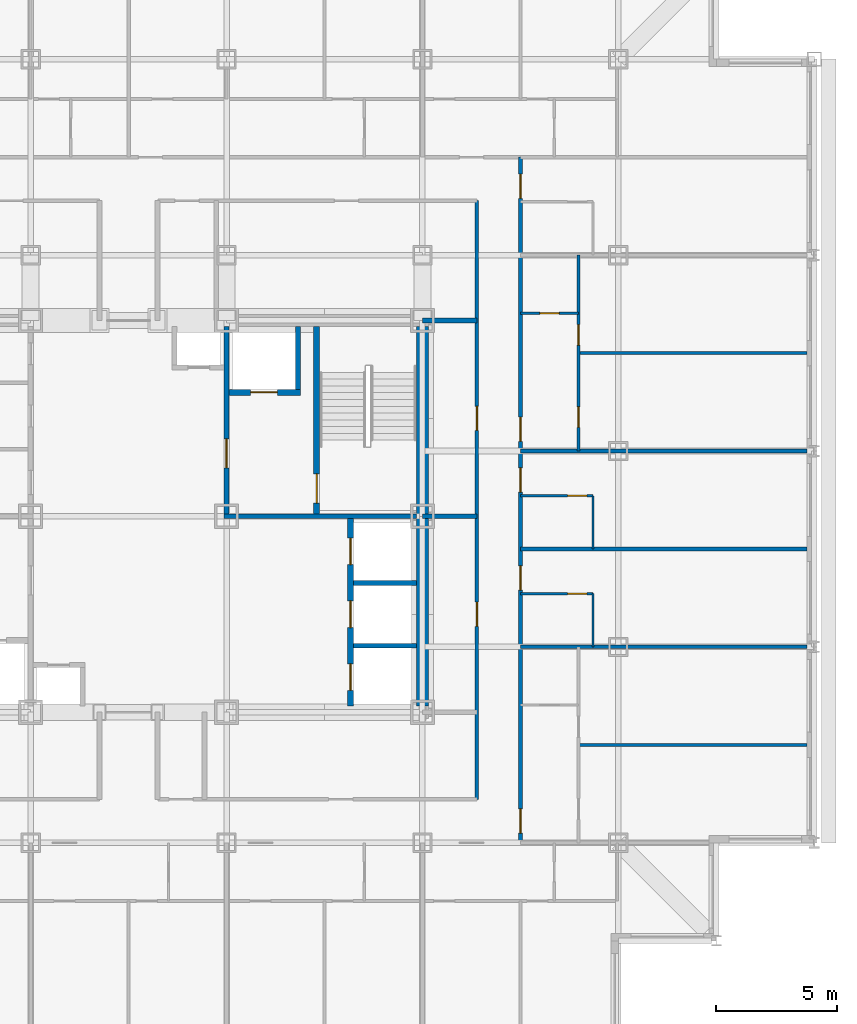
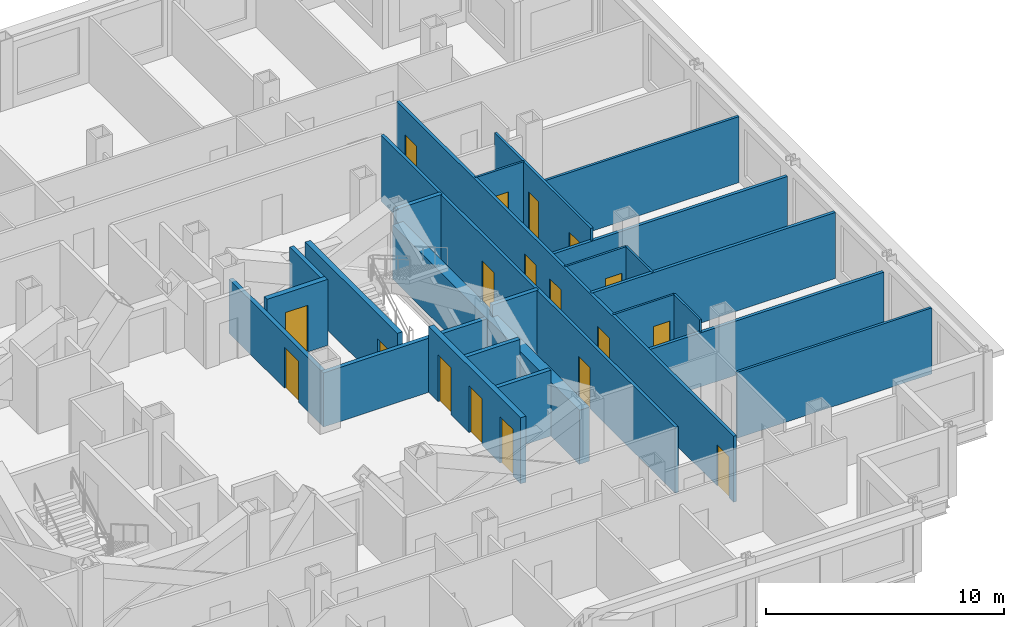
# One storey, part 8 of 12: 24 walls, 18 doors, 18 openings.
"""IFC4 building model written with IfcOpenShell, lengths in metres."""

from ifc_helpers import new_model, si_unit, direction, frame, frame_2d, origin, place, context, subcontext, project, spatial, rectangle, extrude, material, layer, layer_set, type_object, element, fill, save


model = new_model("IFC4")

# Units and contexts
model_context = context("Model", 3, precision=1e-05, world=origin(), true_north=direction((0.0, 1.0)))
body_context = subcontext(model_context, "Body", "Model", "MODEL_VIEW")
ifc_project = project(units=[si_unit("LENGTHUNIT", "METRE"), si_unit("AREAUNIT", "SQUARE_METRE"), si_unit("VOLUMEUNIT", "CUBIC_METRE"), si_unit("PLANEANGLEUNIT", "RADIAN"), si_unit("MASSUNIT", "GRAM", prefix="KILO")], contexts=[model_context])

# Site, building, storey
site_placement = place(None, origin())
site = spatial("IfcSite", under=ifc_project, at=site_placement, CompositionType="ELEMENT")
building_placement = place(site_placement, origin())
building = spatial("IfcBuilding", under=site, at=building_placement, Name="Kopane Lantern Tower", CompositionType="ELEMENT")
storey_placement = place(building_placement, frame((0.0, 0.0, 184.800048828125)))
storey = spatial("IfcBuildingStorey", under=building, at=storey_placement, Name="L47", CompositionType="ELEMENT", Elevation=184.800048828125)

# Wall
ifc_material_1 = material(Name="Gypsum board on steel studs", Category="steel")
ifc_layer_1 = layer(ifc_material_1, 0.1201171875)
ifc_layer_set_1 = layer_set([ifc_layer_1], Name="APARTMENT INTERNAL WALL 120")
wall_type_1 = type_object("IfcWallType", Name="APARTMENT INTERNAL WALL 120", PredefinedType="PARTITIONING", material=ifc_layer_set_1)
wall_1_placement = place(storey_placement, frame((46.949951171875, 22.949951171875, 0.0), z_axis=(0.0, 0.0, 1.0), x_axis=(1.0, 0.0, 0.0)))
element("IfcWall", 1, at=wall_1_placement, inside=storey, type_object=wall_type_1, Name="Apartment Internal Wall 120 L47", PredefinedType="PARTITIONING", context=body_context, shape_type="SweptSolid", body=[
    extrude(rectangle(XDim=9.449951171875, YDim=0.1201171875, at=frame_2d((4.72509765625, 0.0))), origin(), (0.0, 0.0, 1.0), 3.389892578125),
])

# Wall, openings, doors
wall_2_placement = place(storey_placement, frame((46.949951171875, 35.10009765625, 0.0), z_axis=(0.0, 0.0, 1.0), x_axis=(0.0, 1.0, 0.0)))
wall_2 = element("IfcWall", 2, at=wall_2_placement, inside=storey, type_object=wall_type_1, Name="Apartment Internal Wall 120 L47", PredefinedType="PARTITIONING", context=body_context, shape_type="SweptSolid", body=[
    extrude(rectangle(XDim=8.099853515625, YDim=0.1201171875, at=frame_2d((4.0498046875, 0.0))), origin(), (0.0, 0.0, 1.0), 3.389892578125),
])
opening_1_placement = place(wall_2_placement, frame((0.97509765625, 0.0, 0.0)))
opening_1 = element("IfcOpeningElement", 3, at=opening_1_placement, cuts=wall_2, Name="Opening L47-056", PredefinedType="OPENING", context=body_context, shape_type="SweptSolid", body=[
    extrude(rectangle(XDim=0.85009765625, YDim=2.10009765625, at=frame_2d((0.425048828125, 1.050048828125))), frame((0.0, 0.070068359375, 0.0), z_axis=(0.0, -1.0, 0.0), x_axis=(1.0, 0.0, 0.0)), (0.0, 0.0, 1.0), 0.14013671875),
])
opening_2_placement = place(wall_2_placement, frame((4.375, 0.0, 0.0)))
opening_2 = element("IfcOpeningElement", 4, at=opening_2_placement, cuts=wall_2, Name="Opening L47-057", PredefinedType="OPENING", context=body_context, shape_type="SweptSolid", body=[
    extrude(rectangle(XDim=0.85009765625, YDim=2.10009765625, at=frame_2d((0.425048828125, 1.050048828125))), frame((0.0, 0.070068359375, 0.0), z_axis=(0.0, -1.0, 0.0), x_axis=(1.0, 0.0, 0.0)), (0.0, 0.0, 1.0), 0.14013671875),
])
ifc_material_2 = material(Name="Timber door set", Category="wood")
door_type_1 = type_object("IfcDoorType", Name="DOOR D4 850x2100", OperationType="SINGLE_SWING_LEFT", PredefinedType="DOOR", material=ifc_material_2)
door_1_placement = place(opening_1_placement, origin())
door_1 = element("IfcDoor", 5, at=door_1_placement, inside=storey, type_object=door_type_1, Name="Door L47-056", OperationType="SINGLE_SWING_LEFT", OverallHeight=2.10009765625, OverallWidth=0.85009765625, PredefinedType="DOOR", context=body_context, shape_type="SweptSolid", body=[
    extrude(rectangle(XDim=0.85009765625, YDim=2.10009765625, at=frame_2d((0.425048828125, 1.050048828125))), frame((0.0, 0.02490234375, 0.0), z_axis=(0.0, -1.0, 0.0), x_axis=(1.0, 0.0, 0.0)), (0.0, 0.0, 1.0), 0.050048828125),
])
fill(opening_1, door_1)
door_2_placement = place(opening_2_placement, origin())
door_2 = element("IfcDoor", 6, at=door_2_placement, inside=storey, type_object=door_type_1, Name="Door L47-057", OperationType="SINGLE_SWING_RIGHT", OverallHeight=2.10009765625, OverallWidth=0.85009765625, PredefinedType="DOOR", context=body_context, shape_type="SweptSolid", body=[
    extrude(rectangle(XDim=0.85009765625, YDim=2.10009765625, at=frame_2d((0.425048828125, 1.050048828125))), frame((0.0, 0.02490234375, 0.0), z_axis=(0.0, -1.0, 0.0), x_axis=(1.0, 0.0, 0.0)), (0.0, 0.0, 1.0), 0.050048828125),
])
fill(opening_2, door_2)

# Walls
wall_3_placement = place(storey_placement, frame((46.949951171875, 39.14990234375, 0.0), z_axis=(0.0, 0.0, 1.0), x_axis=(1.0, 0.0, 0.0)))
element("IfcWall", 7, at=wall_3_placement, inside=storey, type_object=wall_type_1, Name="Apartment Internal Wall 120 L47", PredefinedType="PARTITIONING", context=body_context, shape_type="SweptSolid", body=[
    extrude(rectangle(XDim=9.449951171875, YDim=0.1201171875, at=frame_2d((4.72509765625, 0.0))), origin(), (0.0, 0.0, 1.0), 3.389892578125),
])
ifc_material_3 = material(Name="Moisture-resistant board on steel studs", Category="steel")
ifc_layer_2 = layer(ifc_material_3, 0.10009765625)
ifc_layer_set_2 = layer_set([ifc_layer_2], Name="BATHROOM WALL 100")
wall_type_2 = type_object("IfcWallType", Name="BATHROOM WALL 100", PredefinedType="PARTITIONING", material=ifc_layer_set_2)
wall_4_placement = place(storey_placement, frame((47.550048828125, 27.0, 0.0), z_axis=(0.0, 0.0, 1.0), x_axis=(0.0, 1.0, 0.0)))
element("IfcWall", 8, at=wall_4_placement, inside=storey, type_object=wall_type_2, Name="Bathroom Wall 100 L47", PredefinedType="PARTITIONING", context=body_context, shape_type="SweptSolid", body=[
    extrude(rectangle(XDim=2.199951171875, YDim=0.10009765625, at=frame_2d((1.10009765625, 0.0))), origin(), (0.0, 0.0, 1.0), 3.389892578125),
])

# Wall, opening, door
wall_5_placement = place(storey_placement, frame((44.550048828125, 29.199951171875, 0.0), z_axis=(0.0, 0.0, 1.0), x_axis=(1.0, 0.0, 0.0)))
wall_5 = element("IfcWall", 9, at=wall_5_placement, inside=storey, type_object=wall_type_2, Name="Bathroom Wall 100 L47", PredefinedType="PARTITIONING", context=body_context, shape_type="SweptSolid", body=[
    extrude(rectangle(XDim=3.0, YDim=0.10009765625, at=frame_2d((1.5, 0.0))), origin(), (0.0, 0.0, 1.0), 3.389892578125),
])
opening_3_placement = place(wall_5_placement, frame((1.949951171875, 0.0, 0.0)))
opening_3 = element("IfcOpeningElement", 10, at=opening_3_placement, cuts=wall_5, Name="Opening L47-050", PredefinedType="OPENING", context=body_context, shape_type="SweptSolid", body=[
    extrude(rectangle(XDim=0.800048828125, YDim=2.10009765625, at=frame_2d((0.39990234375, 1.050048828125))), frame((0.0, 0.06005859375, 0.0), z_axis=(0.0, -1.0, 0.0), x_axis=(1.0, 0.0, 0.0)), (0.0, 0.0, 1.0), 0.1201171875),
])
ifc_material_4 = material(Name="Timber door set", Category="wood")
door_type_2 = type_object("IfcDoorType", Name="DOOR D2 800x2100", OperationType="SINGLE_SWING_LEFT", PredefinedType="DOOR", material=ifc_material_4)
door_3_placement = place(opening_3_placement, origin())
door_3 = element("IfcDoor", 11, at=door_3_placement, inside=storey, type_object=door_type_2, Name="Door L47-050", OperationType="SINGLE_SWING_LEFT", OverallHeight=2.10009765625, OverallWidth=0.800048828125, PredefinedType="DOOR", context=body_context, shape_type="SweptSolid", body=[
    extrude(rectangle(XDim=0.800048828125, YDim=2.10009765625, at=frame_2d((0.39990234375, 1.050048828125))), frame((0.0, 0.02490234375, 0.0), z_axis=(0.0, -1.0, 0.0), x_axis=(1.0, 0.0, 0.0)), (0.0, 0.0, 1.0), 0.050048828125),
])
fill(opening_3, door_3)

# Wall
wall_6_placement = place(storey_placement, frame((47.550048828125, 31.050048828125, 0.0), z_axis=(0.0, 0.0, 1.0), x_axis=(0.0, 1.0, 0.0)))
element("IfcWall", 12, at=wall_6_placement, inside=storey, type_object=wall_type_2, Name="Bathroom Wall 100 L47", PredefinedType="PARTITIONING", context=body_context, shape_type="SweptSolid", body=[
    extrude(rectangle(XDim=2.199951171875, YDim=0.10009765625, at=frame_2d((1.10009765625, 0.0))), origin(), (0.0, 0.0, 1.0), 3.389892578125),
])

# Wall, opening, door
wall_7_placement = place(storey_placement, frame((44.550048828125, 33.25, 0.0), z_axis=(0.0, 0.0, 1.0), x_axis=(1.0, 0.0, 0.0)))
wall_7 = element("IfcWall", 13, at=wall_7_placement, inside=storey, type_object=wall_type_2, Name="Bathroom Wall 100 L47", PredefinedType="PARTITIONING", context=body_context, shape_type="SweptSolid", body=[
    extrude(rectangle(XDim=3.0, YDim=0.10009765625, at=frame_2d((1.5, 0.0))), origin(), (0.0, 0.0, 1.0), 3.389892578125),
])
opening_4_placement = place(wall_7_placement, frame((1.949951171875, 0.0, 0.0)))
opening_4 = element("IfcOpeningElement", 14, at=opening_4_placement, cuts=wall_7, Name="Opening L47-052", PredefinedType="OPENING", context=body_context, shape_type="SweptSolid", body=[
    extrude(rectangle(XDim=0.800048828125, YDim=2.10009765625, at=frame_2d((0.39990234375, 1.050048828125))), frame((0.0, 0.06005859375, 0.0), z_axis=(0.0, -1.0, 0.0), x_axis=(1.0, 0.0, 0.0)), (0.0, 0.0, 1.0), 0.1201171875),
])
door_4_placement = place(opening_4_placement, origin())
door_4 = element("IfcDoor", 15, at=door_4_placement, inside=storey, type_object=door_type_2, Name="Door L47-052", OperationType="SINGLE_SWING_LEFT", OverallHeight=2.10009765625, OverallWidth=0.800048828125, PredefinedType="DOOR", context=body_context, shape_type="SweptSolid", body=[
    extrude(rectangle(XDim=0.800048828125, YDim=2.10009765625, at=frame_2d((0.39990234375, 1.050048828125))), frame((0.0, 0.02490234375, 0.0), z_axis=(0.0, -1.0, 0.0), x_axis=(1.0, 0.0, 0.0)), (0.0, 0.0, 1.0), 0.050048828125),
])
fill(opening_4, door_4)

wall_8_placement = place(storey_placement, frame((44.550048828125, 40.800048828125, 0.0), z_axis=(0.0, 0.0, 1.0), x_axis=(1.0, 0.0, 0.0)))
wall_8 = element("IfcWall", 16, at=wall_8_placement, inside=storey, type_object=wall_type_2, Name="Bathroom Wall 100 L47", PredefinedType="PARTITIONING", context=body_context, shape_type="SweptSolid", body=[
    extrude(rectangle(XDim=2.39990234375, YDim=0.10009765625, at=frame_2d((1.199951171875, 0.0))), origin(), (0.0, 0.0, 1.0), 3.389892578125),
])
opening_5_placement = place(wall_8_placement, frame((0.800048828125, 0.0, 0.0)))
opening_5 = element("IfcOpeningElement", 17, at=opening_5_placement, cuts=wall_8, Name="Opening L47-054", PredefinedType="OPENING", context=body_context, shape_type="SweptSolid", body=[
    extrude(rectangle(XDim=0.800048828125, YDim=2.10009765625, at=frame_2d((0.39990234375, 1.050048828125))), frame((0.0, 0.06005859375, 0.0), z_axis=(0.0, -1.0, 0.0), x_axis=(1.0, 0.0, 0.0)), (0.0, 0.0, 1.0), 0.1201171875),
])
door_5_placement = place(opening_5_placement, origin())
door_5 = element("IfcDoor", 18, at=door_5_placement, inside=storey, type_object=door_type_2, Name="Door L47-054", OperationType="SINGLE_SWING_LEFT", OverallHeight=2.10009765625, OverallWidth=0.800048828125, PredefinedType="DOOR", context=body_context, shape_type="SweptSolid", body=[
    extrude(rectangle(XDim=0.800048828125, YDim=2.10009765625, at=frame_2d((0.39990234375, 1.050048828125))), frame((0.0, 0.02490234375, 0.0), z_axis=(0.0, -1.0, 0.0), x_axis=(1.0, 0.0, 0.0)), (0.0, 0.0, 1.0), 0.050048828125),
])
fill(opening_5, door_5)

# Wall
ifc_material_5 = material(Name="Gypsum shaft wall EI 120", Category="gypsum")
ifc_layer_3 = layer(ifc_material_5, 0.5)
ifc_layer_set_3 = layer_set([ifc_layer_3], Name="CORE PERIMETER WALL 500 EI 120")
wall_type_3 = type_object("IfcWallType", Name="CORE PERIMETER WALL 500 EI 120", PredefinedType="SOLIDWALL", material=ifc_layer_set_3)
wall_9_placement = place(storey_placement, frame((40.5, 24.550048828125, 0.0), z_axis=(0.0, 0.0, 1.0), x_axis=(0.0, 1.0, 0.0)))
element("IfcWall", 19, at=wall_9_placement, inside=storey, type_object=wall_type_3, Name="Core shaft wall L47 PE", PredefinedType="SOLIDWALL", context=body_context, shape_type="SweptSolid", body=[
    extrude(rectangle(XDim=15.699951171875, YDim=0.5, at=frame_2d((7.85009765625, 0.0))), origin(), (0.0, 0.0, 1.0), 2.77783203125),
])

# Wall, openings, doors
ifc_material_6 = material(Name="Gypsum shaft wall EI 120", Category="gypsum")
ifc_layer_4 = layer(ifc_material_6, 0.25)
ifc_layer_set_4 = layer_set([ifc_layer_4], Name="CORE SHAFT WALL 250 EI 120")
wall_type_4 = type_object("IfcWallType", Name="CORE SHAFT WALL 250 EI 120", PredefinedType="SOLIDWALL", material=ifc_layer_set_4)
wall_10_placement = place(storey_placement, frame((37.52490234375, 24.550048828125, 0.0), z_axis=(0.0, 0.0, 1.0), x_axis=(0.0, 1.0, 0.0)))
wall_10 = element("IfcWall", 20, at=wall_10_placement, inside=storey, type_object=wall_type_4, Name="Core shaft wall L47 XLR", PredefinedType="SOLIDWALL", context=body_context, shape_type="SweptSolid", body=[
    extrude(rectangle(XDim=7.75, YDim=0.25, at=frame_2d((3.875, 0.0))), origin(), (0.0, 0.0, 1.0), 3.389892578125),
])
opening_6_placement = place(wall_10_placement, frame((0.64990234375, 0.0, 0.0)))
opening_6 = element("IfcOpeningElement", 21, at=opening_6_placement, cuts=wall_10, Name="Opening 47.LD-LR1", PredefinedType="OPENING", context=body_context, shape_type="SweptSolid", body=[
    extrude(rectangle(XDim=1.10009765625, YDim=2.39990234375, at=frame_2d((0.550048828125, 1.199951171875))), frame((0.0, 0.135009765625, 0.0), z_axis=(0.0, -1.0, 0.0), x_axis=(1.0, 0.0, 0.0)), (0.0, 0.0, 1.0), 0.27001953125),
])
opening_7_placement = place(wall_10_placement, frame((3.25, 0.0, 0.0)))
opening_7 = element("IfcOpeningElement", 22, at=opening_7_placement, cuts=wall_10, Name="Opening 47.LD-LR2", PredefinedType="OPENING", context=body_context, shape_type="SweptSolid", body=[
    extrude(rectangle(XDim=1.10009765625, YDim=2.39990234375, at=frame_2d((0.550048828125, 1.199951171875))), frame((0.0, 0.135009765625, 0.0), z_axis=(0.0, -1.0, 0.0), x_axis=(1.0, 0.0, 0.0)), (0.0, 0.0, 1.0), 0.27001953125),
])
opening_8_placement = place(wall_10_placement, frame((5.85009765625, 0.0, 0.0)))
opening_8 = element("IfcOpeningElement", 23, at=opening_8_placement, cuts=wall_10, Name="Opening 47.LD-LR3", PredefinedType="OPENING", context=body_context, shape_type="SweptSolid", body=[
    extrude(rectangle(XDim=1.10009765625, YDim=2.39990234375, at=frame_2d((0.550048828125, 1.199951171875))), frame((0.0, 0.135009765625, 0.0), z_axis=(0.0, -1.0, 0.0), x_axis=(1.0, 0.0, 0.0)), (0.0, 0.0, 1.0), 0.27001953125),
])
ifc_material_7 = material(Name="Steel door set", Category="steel")
door_type_3 = type_object("IfcDoorType", Name="LIFT LANDING DOOR 1100x2400 FD60", OperationType="DOUBLE_DOOR_SLIDING", PredefinedType="DOOR", material=ifc_material_7)
door_6_placement = place(opening_6_placement, origin())
door_6 = element("IfcDoor", 24, at=door_6_placement, inside=storey, type_object=door_type_3, Name="Landing door LR1 L47", OperationType="DOUBLE_DOOR_SLIDING", OverallHeight=2.39990234375, OverallWidth=1.10009765625, PredefinedType="DOOR", context=body_context, shape_type="SweptSolid", body=[
    extrude(rectangle(XDim=1.10009765625, YDim=2.39990234375, at=frame_2d((0.550048828125, 1.199951171875))), frame((0.0, 0.02490234375, 0.0), z_axis=(0.0, -1.0, 0.0), x_axis=(1.0, 0.0, 0.0)), (0.0, 0.0, 1.0), 0.050048828125),
])
fill(opening_6, door_6)
door_7_placement = place(opening_7_placement, origin())
door_7 = element("IfcDoor", 25, at=door_7_placement, inside=storey, type_object=door_type_3, Name="Landing door LR2 L47", OperationType="DOUBLE_DOOR_SLIDING", OverallHeight=2.39990234375, OverallWidth=1.10009765625, PredefinedType="DOOR", context=body_context, shape_type="SweptSolid", body=[
    extrude(rectangle(XDim=1.10009765625, YDim=2.39990234375, at=frame_2d((0.550048828125, 1.199951171875))), frame((0.0, 0.02490234375, 0.0), z_axis=(0.0, -1.0, 0.0), x_axis=(1.0, 0.0, 0.0)), (0.0, 0.0, 1.0), 0.050048828125),
])
fill(opening_7, door_7)
door_8_placement = place(opening_8_placement, origin())
door_8 = element("IfcDoor", 26, at=door_8_placement, inside=storey, type_object=door_type_3, Name="Landing door LR3 L47", OperationType="DOUBLE_DOOR_SLIDING", OverallHeight=2.39990234375, OverallWidth=1.10009765625, PredefinedType="DOOR", context=body_context, shape_type="SweptSolid", body=[
    extrude(rectangle(XDim=1.10009765625, YDim=2.39990234375, at=frame_2d((0.550048828125, 1.199951171875))), frame((0.0, 0.02490234375, 0.0), z_axis=(0.0, -1.0, 0.0), x_axis=(1.0, 0.0, 0.0)), (0.0, 0.0, 1.0), 0.050048828125),
])
fill(opening_8, door_8)

# Wall, opening, door
wall_11_placement = place(storey_placement, frame((36.125, 32.5, 0.0), z_axis=(0.0, 0.0, 1.0), x_axis=(0.0, 1.0, 0.0)))
wall_11 = element("IfcWall", 27, at=wall_11_placement, inside=storey, type_object=wall_type_4, Name="Core shaft wall L47 XST2", PredefinedType="SOLIDWALL", context=body_context, shape_type="SweptSolid", body=[
    extrude(rectangle(XDim=7.75, YDim=0.25, at=frame_2d((3.875, 0.0))), origin(), (0.0, 0.0, 1.0), 3.389892578125),
])
opening_9_placement = place(wall_11_placement, frame((0.449951171875, 0.0, 0.0)))
opening_9 = element("IfcOpeningElement", 28, at=opening_9_placement, cuts=wall_11, Name="Opening 47.SD2", PredefinedType="OPENING", context=body_context, shape_type="SweptSolid", body=[
    extrude(rectangle(XDim=1.199951171875, YDim=2.10009765625, at=frame_2d((0.60009765625, 1.050048828125))), frame((0.0, 0.135009765625, 0.0), z_axis=(0.0, -1.0, 0.0), x_axis=(1.0, 0.0, 0.0)), (0.0, 0.0, 1.0), 0.27001953125),
])
ifc_material_8 = material(Name="Steel door set", Category="steel")
door_type_4 = type_object("IfcDoorType", Name="STAIR DOOR 1200x2100 FD60S", OperationType="SINGLE_SWING_LEFT", PredefinedType="DOOR", material=ifc_material_8)
door_9_placement = place(opening_9_placement, origin())
door_9 = element("IfcDoor", 29, at=door_9_placement, inside=storey, type_object=door_type_4, Name="Stair door ST2 L47", OperationType="SINGLE_SWING_RIGHT", OverallHeight=2.10009765625, OverallWidth=1.199951171875, PredefinedType="DOOR", context=body_context, shape_type="SweptSolid", body=[
    extrude(rectangle(XDim=1.199951171875, YDim=2.10009765625, at=frame_2d((0.60009765625, 1.050048828125))), frame((0.0, 0.02490234375, 0.0), z_axis=(0.0, -1.0, 0.0), x_axis=(1.0, 0.0, 0.0)), (0.0, 0.0, 1.0), 0.050048828125),
])
fill(opening_9, door_9)

wall_12_placement = place(storey_placement, frame((32.5, 37.52490234375, 0.0), z_axis=(0.0, 0.0, 1.0), x_axis=(1.0, 0.0, 0.0)))
wall_12 = element("IfcWall", 30, at=wall_12_placement, inside=storey, type_object=wall_type_4, Name="Core shaft wall L47 YLF2", PredefinedType="SOLIDWALL", context=body_context, shape_type="SweptSolid", body=[
    extrude(rectangle(XDim=2.949951171875, YDim=0.25, at=frame_2d((1.47509765625, 0.0))), origin(), (0.0, 0.0, 1.0), 3.389892578125),
])
opening_10_placement = place(wall_12_placement, frame((0.89990234375, 0.0, 0.0)))
opening_10 = element("IfcOpeningElement", 31, at=opening_10_placement, cuts=wall_12, Name="Opening 47.LD-LF2", PredefinedType="OPENING", context=body_context, shape_type="SweptSolid", body=[
    extrude(rectangle(XDim=1.10009765625, YDim=2.39990234375, at=frame_2d((0.550048828125, 1.199951171875))), frame((0.0, 0.135009765625, 0.0), z_axis=(0.0, -1.0, 0.0), x_axis=(1.0, 0.0, 0.0)), (0.0, 0.0, 1.0), 0.27001953125),
])
door_10_placement = place(opening_10_placement, origin())
door_10 = element("IfcDoor", 32, at=door_10_placement, inside=storey, type_object=door_type_3, Name="Landing door LF2 L47", OperationType="DOUBLE_DOOR_SLIDING", OverallHeight=2.39990234375, OverallWidth=1.10009765625, PredefinedType="DOOR", context=body_context, shape_type="SweptSolid", body=[
    extrude(rectangle(XDim=1.10009765625, YDim=2.39990234375, at=frame_2d((0.550048828125, 1.199951171875))), frame((0.0, 0.02490234375, 0.0), z_axis=(0.0, -1.0, 0.0), x_axis=(1.0, 0.0, 0.0)), (0.0, 0.0, 1.0), 0.050048828125),
])
fill(opening_10, door_10)

# Wall, openings, doors
ifc_material_9 = material(Name="Gypsum board on steel studs", Category="steel")
ifc_layer_5 = layer(ifc_material_9, 0.14990234375)
ifc_layer_set_5 = layer_set([ifc_layer_5], Name="CORRIDOR WALL 150 EI 60")
wall_type_5 = type_object("IfcWallType", Name="CORRIDOR WALL 150 EI 60", PredefinedType="PARTITIONING", material=ifc_layer_set_5)
wall_13_placement = place(storey_placement, frame((44.550048828125, 18.89990234375, 0.0), z_axis=(0.0, 0.0, 1.0), x_axis=(0.0, 1.0, 0.0)))
wall_13 = element("IfcWall", 33, at=wall_13_placement, inside=storey, type_object=wall_type_5, Name="Corridor Wall 150 Ei 60 L47", PredefinedType="PARTITIONING", context=body_context, shape_type="SweptSolid", body=[
    extrude(rectangle(XDim=28.35009765625, YDim=0.14990234375, at=frame_2d((14.175048828125, 0.0))), origin(), (0.0, 0.0, 1.0), 3.389892578125),
])
opening_11_placement = place(wall_13_placement, frame((0.39990234375, 0.0, 0.0)))
opening_11 = element("IfcOpeningElement", 34, at=opening_11_placement, cuts=wall_13, Name="Opening L47-047", PredefinedType="OPENING", context=body_context, shape_type="SweptSolid", body=[
    extrude(rectangle(XDim=1.0, YDim=2.10009765625, at=frame_2d((0.5, 1.050048828125))), frame((0.0, 0.0849609375, 0.0), z_axis=(0.0, -1.0, 0.0), x_axis=(1.0, 0.0, 0.0)), (0.0, 0.0, 1.0), 0.169921875),
])
opening_12_placement = place(wall_13_placement, frame((10.449951171875, 0.0, 0.0)))
opening_12 = element("IfcOpeningElement", 35, at=opening_12_placement, cuts=wall_13, Name="Opening L47-051", PredefinedType="OPENING", context=body_context, shape_type="SweptSolid", body=[
    extrude(rectangle(XDim=1.0, YDim=2.10009765625, at=frame_2d((0.5, 1.050048828125))), frame((0.0, 0.0849609375, 0.0), z_axis=(0.0, -1.0, 0.0), x_axis=(1.0, 0.0, 0.0)), (0.0, 0.0, 1.0), 0.169921875),
])
opening_13_placement = place(wall_13_placement, frame((14.5, 0.0, 0.0)))
opening_13 = element("IfcOpeningElement", 36, at=opening_13_placement, cuts=wall_13, Name="Opening L47-053", PredefinedType="OPENING", context=body_context, shape_type="SweptSolid", body=[
    extrude(rectangle(XDim=1.0, YDim=2.10009765625, at=frame_2d((0.5, 1.050048828125))), frame((0.0, 0.0849609375, 0.0), z_axis=(0.0, -1.0, 0.0), x_axis=(1.0, 0.0, 0.0)), (0.0, 0.0, 1.0), 0.169921875),
])
opening_14_placement = place(wall_13_placement, frame((16.60009765625, 0.0, 0.0)))
opening_14 = element("IfcOpeningElement", 37, at=opening_14_placement, cuts=wall_13, Name="Opening L47-055", PredefinedType="OPENING", context=body_context, shape_type="SweptSolid", body=[
    extrude(rectangle(XDim=1.0, YDim=2.10009765625, at=frame_2d((0.5, 1.050048828125))), frame((0.0, 0.0849609375, 0.0), z_axis=(0.0, -1.0, 0.0), x_axis=(1.0, 0.0, 0.0)), (0.0, 0.0, 1.0), 0.169921875),
])
opening_15_placement = place(wall_13_placement, frame((26.64990234375, 0.0, 0.0)))
opening_15 = element("IfcOpeningElement", 38, at=opening_15_placement, cuts=wall_13, Name="Opening L47-059", PredefinedType="OPENING", context=body_context, shape_type="SweptSolid", body=[
    extrude(rectangle(XDim=1.0, YDim=2.10009765625, at=frame_2d((0.5, 1.050048828125))), frame((0.0, 0.0849609375, 0.0), z_axis=(0.0, -1.0, 0.0), x_axis=(1.0, 0.0, 0.0)), (0.0, 0.0, 1.0), 0.169921875),
])
ifc_material_10 = material(Name="Steel door set", Category="steel")
door_type_5 = type_object("IfcDoorType", Name="DOOR D3 1000x2100 FD30S", OperationType="SINGLE_SWING_LEFT", PredefinedType="DOOR", material=ifc_material_10)
door_11_placement = place(opening_11_placement, origin())
door_11 = element("IfcDoor", 39, at=door_11_placement, inside=storey, type_object=door_type_5, Name="Door L47-047", OperationType="SINGLE_SWING_RIGHT", OverallHeight=2.10009765625, OverallWidth=1.0, PredefinedType="DOOR", context=body_context, shape_type="SweptSolid", body=[
    extrude(rectangle(XDim=1.0, YDim=2.10009765625, at=frame_2d((0.5, 1.050048828125))), frame((0.0, 0.02490234375, 0.0), z_axis=(0.0, -1.0, 0.0), x_axis=(1.0, 0.0, 0.0)), (0.0, 0.0, 1.0), 0.050048828125),
])
fill(opening_11, door_11)
door_12_placement = place(opening_12_placement, origin())
door_12 = element("IfcDoor", 40, at=door_12_placement, inside=storey, type_object=door_type_5, Name="Door L47-051", OperationType="SINGLE_SWING_RIGHT", OverallHeight=2.10009765625, OverallWidth=1.0, PredefinedType="DOOR", context=body_context, shape_type="SweptSolid", body=[
    extrude(rectangle(XDim=1.0, YDim=2.10009765625, at=frame_2d((0.5, 1.050048828125))), frame((0.0, 0.02490234375, 0.0), z_axis=(0.0, -1.0, 0.0), x_axis=(1.0, 0.0, 0.0)), (0.0, 0.0, 1.0), 0.050048828125),
])
fill(opening_12, door_12)
door_13_placement = place(opening_13_placement, origin())
door_13 = element("IfcDoor", 41, at=door_13_placement, inside=storey, type_object=door_type_5, Name="Door L47-053", OperationType="SINGLE_SWING_RIGHT", OverallHeight=2.10009765625, OverallWidth=1.0, PredefinedType="DOOR", context=body_context, shape_type="SweptSolid", body=[
    extrude(rectangle(XDim=1.0, YDim=2.10009765625, at=frame_2d((0.5, 1.050048828125))), frame((0.0, 0.02490234375, 0.0), z_axis=(0.0, -1.0, 0.0), x_axis=(1.0, 0.0, 0.0)), (0.0, 0.0, 1.0), 0.050048828125),
])
fill(opening_13, door_13)
door_14_placement = place(opening_14_placement, origin())
door_14 = element("IfcDoor", 42, at=door_14_placement, inside=storey, type_object=door_type_5, Name="Door L47-055", OperationType="SINGLE_SWING_RIGHT", OverallHeight=2.10009765625, OverallWidth=1.0, PredefinedType="DOOR", context=body_context, shape_type="SweptSolid", body=[
    extrude(rectangle(XDim=1.0, YDim=2.10009765625, at=frame_2d((0.5, 1.050048828125))), frame((0.0, 0.02490234375, 0.0), z_axis=(0.0, -1.0, 0.0), x_axis=(1.0, 0.0, 0.0)), (0.0, 0.0, 1.0), 0.050048828125),
])
fill(opening_14, door_14)
door_15_placement = place(opening_15_placement, origin())
door_15 = element("IfcDoor", 43, at=door_15_placement, inside=storey, type_object=door_type_5, Name="Door L47-059", OperationType="SINGLE_SWING_RIGHT", OverallHeight=2.10009765625, OverallWidth=1.0, PredefinedType="DOOR", context=body_context, shape_type="SweptSolid", body=[
    extrude(rectangle(XDim=1.0, YDim=2.10009765625, at=frame_2d((0.5, 1.050048828125))), frame((0.0, 0.02490234375, 0.0), z_axis=(0.0, -1.0, 0.0), x_axis=(1.0, 0.0, 0.0)), (0.0, 0.0, 1.0), 0.050048828125),
])
fill(opening_15, door_15)

wall_14_placement = place(storey_placement, frame((42.75, 20.699951171875, 0.0), z_axis=(0.0, 0.0, 1.0), x_axis=(0.0, 1.0, 0.0)))
wall_14 = element("IfcWall", 44, at=wall_14_placement, inside=storey, type_object=wall_type_5, Name="Corridor Wall 150 Ei 60 L47", PredefinedType="PARTITIONING", context=body_context, shape_type="SweptSolid", body=[
    extrude(rectangle(XDim=24.75, YDim=0.14990234375, at=frame_2d((12.375, 0.0))), origin(), (0.0, 0.0, 1.0), 3.389892578125),
])
opening_16_placement = place(wall_14_placement, frame((7.14990234375, 0.0, 0.0)))
opening_16 = element("IfcOpeningElement", 45, at=opening_16_placement, cuts=wall_14, Name="Opening L47-003", PredefinedType="OPENING", context=body_context, shape_type="SweptSolid", body=[
    extrude(rectangle(XDim=1.0, YDim=2.10009765625, at=frame_2d((0.5, 1.050048828125))), frame((0.0, 0.0849609375, 0.0), z_axis=(0.0, -1.0, 0.0), x_axis=(1.0, 0.0, 0.0)), (0.0, 0.0, 1.0), 0.169921875),
])
opening_17_placement = place(wall_14_placement, frame((15.25, 0.0, 0.0)))
opening_17 = element("IfcOpeningElement", 46, at=opening_17_placement, cuts=wall_14, Name="Opening L47-004", PredefinedType="OPENING", context=body_context, shape_type="SweptSolid", body=[
    extrude(rectangle(XDim=1.0, YDim=2.10009765625, at=frame_2d((0.5, 1.050048828125))), frame((0.0, 0.0849609375, 0.0), z_axis=(0.0, -1.0, 0.0), x_axis=(1.0, 0.0, 0.0)), (0.0, 0.0, 1.0), 0.169921875),
])
ifc_material_11 = material(Name="Steel door set", Category="steel")
door_type_6 = type_object("IfcDoorType", Name="DOOR D5 1000x2100 FD60", OperationType="SINGLE_SWING_LEFT", PredefinedType="DOOR", material=ifc_material_11)
door_16_placement = place(opening_16_placement, origin())
door_16 = element("IfcDoor", 47, at=door_16_placement, inside=storey, type_object=door_type_6, Name="Door L47-003", OperationType="SINGLE_SWING_LEFT", OverallHeight=2.10009765625, OverallWidth=1.0, PredefinedType="DOOR", context=body_context, shape_type="SweptSolid", body=[
    extrude(rectangle(XDim=1.0, YDim=2.10009765625, at=frame_2d((0.5, 1.050048828125))), frame((0.0, 0.02490234375, 0.0), z_axis=(0.0, -1.0, 0.0), x_axis=(1.0, 0.0, 0.0)), (0.0, 0.0, 1.0), 0.050048828125),
])
fill(opening_16, door_16)
door_17_placement = place(opening_17_placement, origin())
door_17 = element("IfcDoor", 48, at=door_17_placement, inside=storey, type_object=door_type_6, Name="Door L47-004", OperationType="SINGLE_SWING_RIGHT", OverallHeight=2.10009765625, OverallWidth=1.0, PredefinedType="DOOR", context=body_context, shape_type="SweptSolid", body=[
    extrude(rectangle(XDim=1.0, YDim=2.10009765625, at=frame_2d((0.5, 1.050048828125))), frame((0.0, 0.02490234375, 0.0), z_axis=(0.0, -1.0, 0.0), x_axis=(1.0, 0.0, 0.0)), (0.0, 0.0, 1.0), 0.050048828125),
])
fill(opening_17, door_17)

# Walls
ifc_material_12 = material(Name="Gypsum board on steel studs", Category="steel")
ifc_layer_6 = layer(ifc_material_12, 0.14990234375)
ifc_layer_set_6 = layer_set([ifc_layer_6], Name="DEMISING WALL 150 EI 60")
wall_type_6 = type_object("IfcWallType", Name="DEMISING WALL 150 EI 60", PredefinedType="PARTITIONING", material=ifc_layer_set_6)
wall_15_placement = place(storey_placement, frame((44.550048828125, 27.0, 0.0), z_axis=(0.0, 0.0, 1.0), x_axis=(1.0, 0.0, 0.0)))
element("IfcWall", 49, at=wall_15_placement, inside=storey, type_object=wall_type_6, Name="Demising Wall 150 Ei 60 L47", PredefinedType="PARTITIONING", context=body_context, shape_type="SweptSolid", body=[
    extrude(rectangle(XDim=11.849853515625, YDim=0.14990234375, at=frame_2d((5.9248046875, 0.0))), origin(), (0.0, 0.0, 1.0), 2.77783203125),
])
wall_16_placement = place(storey_placement, frame((44.550048828125, 31.050048828125, 0.0), z_axis=(0.0, 0.0, 1.0), x_axis=(1.0, 0.0, 0.0)))
element("IfcWall", 50, at=wall_16_placement, inside=storey, type_object=wall_type_6, Name="Demising Wall 150 Ei 60 L47", PredefinedType="PARTITIONING", context=body_context, shape_type="SweptSolid", body=[
    extrude(rectangle(XDim=11.849853515625, YDim=0.14990234375, at=frame_2d((5.9248046875, 0.0))), origin(), (0.0, 0.0, 1.0), 3.389892578125),
])
wall_17_placement = place(storey_placement, frame((44.550048828125, 35.10009765625, 0.0), z_axis=(0.0, 0.0, 1.0), x_axis=(1.0, 0.0, 0.0)))
element("IfcWall", 51, at=wall_17_placement, inside=storey, type_object=wall_type_6, Name="Demising Wall 150 Ei 60 L47", PredefinedType="PARTITIONING", context=body_context, shape_type="SweptSolid", body=[
    extrude(rectangle(XDim=11.849853515625, YDim=0.14990234375, at=frame_2d((5.9248046875, 0.0))), origin(), (0.0, 0.0, 1.0), 2.77783203125),
])
ifc_material_13 = material(Name="Concrete masonry", Category="masonry")
ifc_layer_7 = layer(ifc_material_13, 0.199951171875)
ifc_layer_set_7 = layer_set([ifc_layer_7], Name="PLANT ROOM WALL 200 EI 120")
wall_type_7 = type_object("IfcWallType", Name="PLANT ROOM WALL 200 EI 120", PredefinedType="SOLIDWALL", material=ifc_layer_set_7)
for number, where, z_axis, x_axis, name in (
    (52, (40.5, 32.39990234375, 0.0), (0.0, 0.0, 1.0), (1.0, 0.0, 0.0), "Plant Room Wall 200 Ei 120 L47"),
    (53, (40.5, 40.5, 0.0), (0.0, 0.0, 1.0), (1.0, 0.0, 0.0), "Plant Room Wall 200 Ei 120 L47"),
):
    element("IfcWall", number, at=place(storey_placement, frame(where, z_axis=z_axis, x_axis=x_axis)), inside=storey, type_object=wall_type_7, Name=name, PredefinedType="SOLIDWALL", context=body_context, shape_type="SweptSolid", body=[
        extrude(rectangle(XDim=2.25, YDim=0.199951171875, at=frame_2d((1.125, 0.0))), origin(), (0.0, 0.0, 1.0), 3.389892578125),
    ])
ifc_material_14 = material(Name="Gypsum shaft wall EI 120", Category="gypsum")
ifc_layer_8 = layer(ifc_material_14, 0.199951171875)
ifc_layer_set_8 = layer_set([ifc_layer_8], Name="SHAFT WALL 200 EI 120")
wall_type_8 = type_object("IfcWallType", Name="SHAFT WALL 200 EI 120", PredefinedType="SOLIDWALL", material=ifc_layer_set_8)
wall_18_placement = place(storey_placement, frame((32.300048828125, 32.39990234375, 0.0), z_axis=(0.0, 0.0, 1.0), x_axis=(1.0, 0.0, 0.0)))
element("IfcWall", 54, at=wall_18_placement, inside=storey, type_object=wall_type_8, Name="Core shaft wall L47 Y324E", PredefinedType="SOLIDWALL", context=body_context, shape_type="SweptSolid", body=[
    extrude(rectangle(XDim=7.949951171875, YDim=0.199951171875, at=frame_2d((3.97509765625, 0.0))), origin(), (0.0, 0.0, 1.0), 2.77783203125),
])

# Wall, opening, door
wall_19_placement = place(storey_placement, frame((32.39990234375, 32.5, 0.0), z_axis=(0.0, 0.0, 1.0), x_axis=(0.0, 1.0, 0.0)))
wall_19 = element("IfcWall", 55, at=wall_19_placement, inside=storey, type_object=wall_type_8, Name="Core shaft wall L47 X324", PredefinedType="SOLIDWALL", context=body_context, shape_type="SweptSolid", body=[
    extrude(rectangle(XDim=7.75, YDim=0.199951171875, at=frame_2d((3.875, 0.0))), origin(), (0.0, 0.0, 1.0), 2.77783203125),
])
opening_18_placement = place(wall_19_placement, frame((1.89990234375, 0.0, 0.0)))
opening_18 = element("IfcOpeningElement", 56, at=opening_18_placement, cuts=wall_19, Name="Opening 47.FL2", PredefinedType="OPENING", context=body_context, shape_type="SweptSolid", body=[
    extrude(rectangle(XDim=1.199951171875, YDim=2.10009765625, at=frame_2d((0.60009765625, 1.050048828125))), frame((0.0, 0.10986328125, 0.0), z_axis=(0.0, -1.0, 0.0), x_axis=(1.0, 0.0, 0.0)), (0.0, 0.0, 1.0), 0.219970703125),
])
ifc_material_15 = material(Name="Steel door set", Category="steel")
door_type_7 = type_object("IfcDoorType", Name="FIREFIGHTING LOBBY DOOR 1200x2100 FD60S", OperationType="SINGLE_SWING_RIGHT", PredefinedType="DOOR", material=ifc_material_15)
door_18_placement = place(opening_18_placement, origin())
door_18 = element("IfcDoor", 57, at=door_18_placement, inside=storey, type_object=door_type_7, Name="Firefighting lobby door FL2 L47", OperationType="SINGLE_SWING_LEFT", OverallHeight=2.10009765625, OverallWidth=1.199951171875, PredefinedType="DOOR", context=body_context, shape_type="SweptSolid", body=[
    extrude(rectangle(XDim=1.199951171875, YDim=2.10009765625, at=frame_2d((0.60009765625, 1.050048828125))), frame((0.0, 0.02490234375, 0.0), z_axis=(0.0, -1.0, 0.0), x_axis=(1.0, 0.0, 0.0)), (0.0, 0.0, 1.0), 0.050048828125),
])
fill(opening_18, door_18)

# Walls
for number, where, z_axis, x_axis, name in (
    (58, (37.64990234375, 27.050048828125, 0.0), (0.0, 0.0, 1.0), (1.0, 0.0, 0.0), "Core shaft wall L47 YLR12"),
    (59, (37.64990234375, 29.64990234375, 0.0), (0.0, 0.0, 1.0), (1.0, 0.0, 0.0), "Core shaft wall L47 YLR23"),
    (60, (35.35009765625, 37.64990234375, 0.0), (0.0, 0.0, 1.0), (0.0, 1.0, 0.0), "Core shaft wall L47 XLF2"),
):
    element("IfcWall", number, at=place(storey_placement, frame(where, z_axis=z_axis, x_axis=x_axis)), inside=storey, type_object=wall_type_8, Name=name, PredefinedType="SOLIDWALL", context=body_context, shape_type="SweptSolid", body=[
        extrude(rectangle(XDim=2.60009765625, YDim=0.199951171875, at=frame_2d((1.300048828125, 0.0))), origin(), (0.0, 0.0, 1.0), 3.389892578125),
    ])

save(model, "model.ifc")
